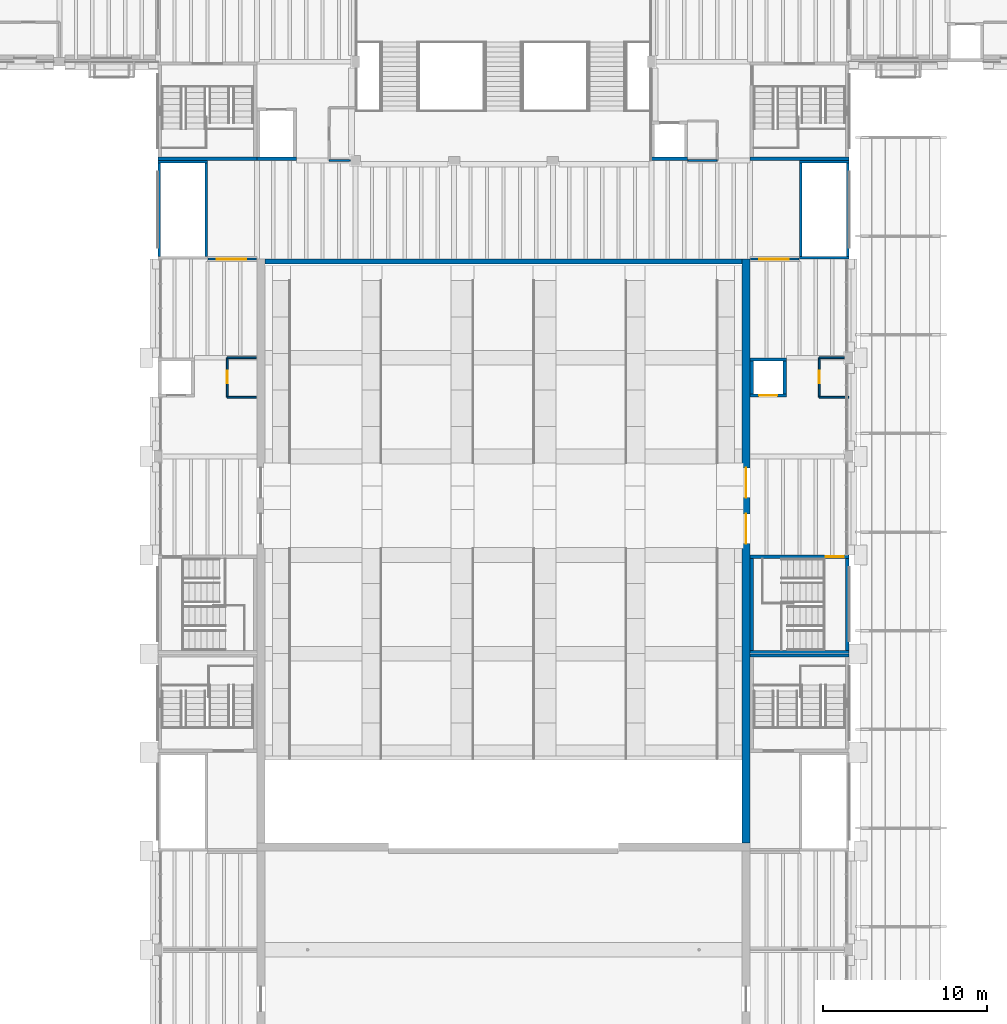
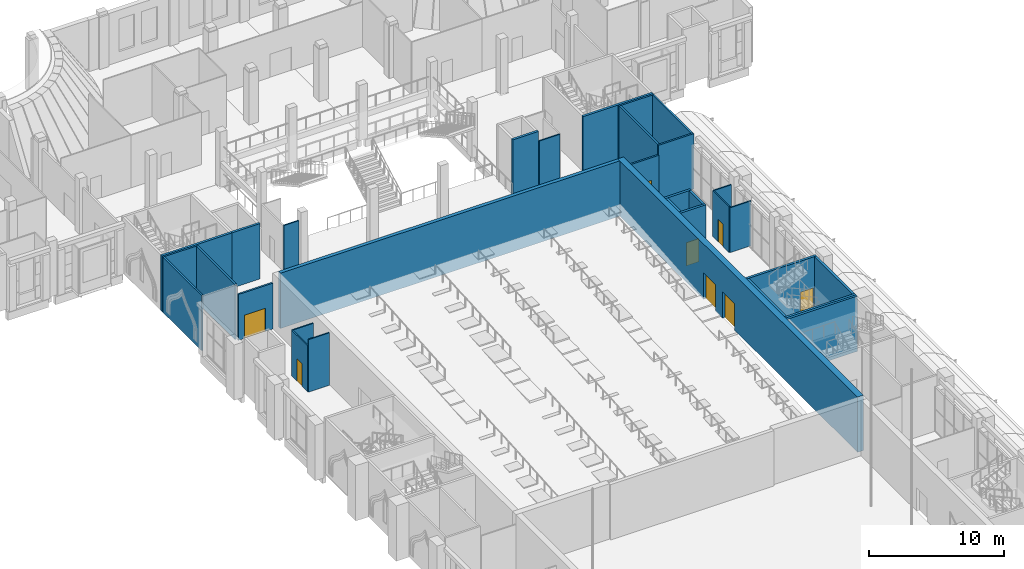
# One storey, part 42 of 80: 32 walls, 8 doors, 8 openings.
"""IFC4 building model written with IfcOpenShell, lengths in metres."""

import ifcopenshell
import ifcopenshell.guid

model = None  # the IFC model being written
_history = None  # IfcOwnerHistory: only IFC2X3 demands one
_inside = {}  # id of a spatial element -> (the spatial element, [elements in it])
_under = {}  # id of a project, library or spatial element -> (it, [spatial elements below it])
_declared = {}  # id of a project -> (the project, [libraries it declares])
_typed = {}  # id of a type object -> (the type object, [elements of that type])
_made_of = {}  # id of a material, layer set ... -> (it, [elements and type objects made of it])


def new_model(schema):
    """Start an empty IFC model of exactly this schema.

    Asked for "IFC4X3", IfcOpenShell would pick the latest addendum, in which some entities
    have other attributes; the version numbers below select the first issue.
    IFC2X3 requires an IfcOwnerHistory on every rooted entity: one is made here for all.
    """
    global model, _history
    if schema == "IFC4X3":
        model = ifcopenshell.file(schema_version=(4, 3, 0, 0))
    else:
        model = ifcopenshell.file(schema=schema)
    _inside.clear()
    _under.clear()
    _declared.clear()
    _typed.clear()
    _made_of.clear()
    _history = None
    if model.schema == "IFC2X3":
        org = make("IfcOrganization", Name="unknown")
        user = make(
            "IfcPersonAndOrganization",
            ThePerson=make("IfcPerson", FamilyName="unknown"),
            TheOrganization=org,
        )
        app = make(
            "IfcApplication",
            ApplicationDeveloper=org,
            Version="unknown",
            ApplicationFullName="unknown",
            ApplicationIdentifier="unknown",
        )
        _history = make(
            "IfcOwnerHistory",
            OwningUser=user,
            OwningApplication=app,
            ChangeAction="ADDED",
            CreationDate=0,
        )
    return model


def make(cls, **values):
    """One entity of the class cls with the attributes given. An attribute that is None is left unset."""
    return model.create_entity(
        cls, **{name: value for name, value in values.items() if value is not None}
    )


def rooted(cls, **values):
    """An entity with a GlobalId (a new one), such as an element, a storey or a relation."""
    return make(cls, GlobalId=ifcopenshell.guid.new(), OwnerHistory=_history, **values)


def si_unit(unit_type, name, prefix=None):
    """IfcSIUnit, for example si_unit("LENGTHUNIT", "METRE", prefix="MILLI")."""
    return make("IfcSIUnit", UnitType=unit_type, Prefix=prefix, Name=name)


def assignment(units):
    """IfcUnitAssignment: the units of a project."""
    return None if units is None else make("IfcUnitAssignment", Units=units)


def point(xyz):
    """IfcCartesianPoint."""
    return None if xyz is None else make("IfcCartesianPoint", Coordinates=xyz)


def direction(xyz):
    """IfcDirection."""
    return None if xyz is None else make("IfcDirection", DirectionRatios=xyz)


def frame(location, z_axis=None, x_axis=None):
    """IfcAxis2Placement3D, a coordinate frame: its origin and axes. An axis left out is left unset."""
    return make(
        "IfcAxis2Placement3D",
        Location=point(location),
        Axis=direction(z_axis),
        RefDirection=direction(x_axis),
    )


def frame_2d(location, x_axis=None):
    """IfcAxis2Placement2D, a coordinate frame in the plane: its origin and x axis."""
    return make(
        "IfcAxis2Placement2D", Location=point(location), RefDirection=direction(x_axis)
    )


def origin():
    """The frame at (0, 0, 0) with its axes left unset."""
    return frame((0.0, 0.0, 0.0))


def place(relative_to, where):
    """IfcLocalPlacement: puts the frame where relative to a parent placement (None: the world)."""
    return make(
        "IfcLocalPlacement", PlacementRelTo=relative_to, RelativePlacement=where
    )


def context(
    kind, dimensions, precision=None, world=None, true_north=None, identifier=None
):
    """IfcGeometricRepresentationContext, for example the 3D "Model" context."""
    return make(
        "IfcGeometricRepresentationContext",
        ContextIdentifier=identifier,
        ContextType=kind,
        CoordinateSpaceDimension=dimensions,
        Precision=precision,
        WorldCoordinateSystem=world,
        TrueNorth=true_north,
    )


def subcontext(parent, identifier, kind, view, scale=None):
    """IfcGeometricRepresentationSubContext, for example "Body" below "Model"."""
    return make(
        "IfcGeometricRepresentationSubContext",
        ContextIdentifier=identifier,
        ContextType=kind,
        ParentContext=parent,
        TargetScale=scale,
        TargetView=view,
    )


def project(units=None, contexts=None):
    """IfcProject with its units and contexts."""
    return rooted(
        "IfcProject",
        Name="project",
        RepresentationContexts=contexts,
        UnitsInContext=assignment(units),
    )


def spatial(cls, under=None, at=None, **own):
    """A site, building, storey or space (cls), placed at a placement, below another one or the project."""
    s = rooted(cls, ObjectPlacement=at, **own)
    if under is not None:
        _under.setdefault(under.id(), (under, []))[1].append(s)
    return s


def profile(cls, at=None, kind="AREA", **sizes):
    """A parametric profile (cls). Its sizes go by their IFC names, for example OverallWidth=200.0."""
    return make(cls, ProfileType=kind, Position=at, **sizes)


def rectangle(**sizes):
    """IfcRectangleProfileDef."""
    return profile("IfcRectangleProfileDef", **sizes)


def extrude(swept, where, along, depth):
    """IfcExtrudedAreaSolid: the profile swept, set in the frame where, extruded along a direction by depth."""
    return make(
        "IfcExtrudedAreaSolid",
        SweptArea=swept,
        Position=where,
        ExtrudedDirection=direction(along),
        Depth=depth,
    )


def shape(context_of_items, identifier, shape_type, items):
    """IfcShapeRepresentation: the items that make up one representation, for example the "Body"."""
    return make(
        "IfcShapeRepresentation",
        ContextOfItems=context_of_items,
        RepresentationIdentifier=identifier,
        RepresentationType=shape_type,
        Items=items,
    )


def material(Name=None, Category=None):
    """IfcMaterial."""
    return make("IfcMaterial", Name=Name, Category=Category)


def layer(
    of_material, thickness, ventilated=None, Name=None, Category=None, Priority=None
):
    """IfcMaterialLayer: one layer of a wall or slab, of a material (None: an air gap)."""
    return make(
        "IfcMaterialLayer",
        Material=of_material,
        LayerThickness=thickness,
        IsVentilated=ventilated,
        Name=Name,
        Category=Category,
        Priority=Priority,
    )


def layer_set(layers, Name=None):
    """IfcMaterialLayerSet."""
    return make("IfcMaterialLayerSet", MaterialLayers=layers, LayerSetName=Name)


def made_of(thing, what):
    """Note that an element or type object is made of a material, layer set ...; save() writes the relation."""
    if what is not None:
        _made_of.setdefault(what.id(), (what, []))[1].append(thing)
    return thing


def type_object(cls, material=None, **own):
    """A type object (cls), such as IfcWallType, which elements share."""
    return made_of(rooted(cls, **own), material)


def element(
    cls,
    number,
    at=None,
    inside=None,
    cuts=None,
    type_object=None,
    material=None,
    context=None,
    identifier="Body",
    shape_type=None,
    held_by="IfcProductDefinitionShape",
    body=None,
    shapes=None,
    **own,
):
    """One element of the class cls, such as IfcWall. Its Tag is "e" and its number.

    at: its placement. inside: the storey or other place that contains it. cuts: it is an
    opening in that element (IfcRelVoidsElement). A single representation is given by context,
    identifier, shape_type and body (its items); several are given by shapes. held_by: the class
    of the entity that holds the representations. save() writes the other relations.
    """
    e = rooted(cls, Tag="e%d" % number, ObjectPlacement=at, **own)
    if body is not None:
        shapes = [shape(context, identifier, shape_type, body)]
    if shapes is not None:
        e.Representation = make(held_by, Representations=shapes)
    if inside is not None:
        _inside.setdefault(inside.id(), (inside, []))[1].append(e)
    if cuts is not None:
        rooted(
            "IfcRelVoidsElement", RelatingBuildingElement=cuts, RelatedOpeningElement=e
        )
    if type_object is not None:
        _typed.setdefault(type_object.id(), (type_object, []))[1].append(e)
    return made_of(e, material)


def fill(opening, filler):
    """IfcRelFillsElement: the door or window that sits in an opening."""
    return rooted(
        "IfcRelFillsElement",
        RelatingOpeningElement=opening,
        RelatedBuildingElement=filler,
    )


def aggregate(whole, parts):
    """IfcRelAggregates: a whole, such as a stair, and the parts it consists of."""
    return rooted("IfcRelAggregates", RelatingObject=whole, RelatedObjects=parts)


def save(model, path):
    """Write the relations noted so far, then the file.

    IfcRelAggregates (storeys below a building ...), IfcRelContainedInSpatialStructure (elements
    in a storey), IfcRelDefinesByType, IfcRelAssociatesMaterial and IfcRelDeclares: one each for
    every whole, place, type object, material and project.
    """
    for whole, parts in _under.values():
        aggregate(whole, parts)
    for where, things in _inside.values():
        rooted(
            "IfcRelContainedInSpatialStructure",
            RelatedElements=things,
            RelatingStructure=where,
        )
    for kind, things in _typed.values():
        rooted("IfcRelDefinesByType", RelatedObjects=things, RelatingType=kind)
    for what, things in _made_of.values():
        rooted("IfcRelAssociatesMaterial", RelatedObjects=things, RelatingMaterial=what)
    for by, libraries in _declared.values():
        rooted("IfcRelDeclares", RelatingContext=by, RelatedDefinitions=libraries)
    model.write(path)


model = new_model("IFC4")

# Units and contexts
model_context = context("Model", 3, precision=1e-05, world=origin(), true_north=direction((0.0, 1.0)))
body_context = subcontext(model_context, "Body", "Model", "MODEL_VIEW")
ifc_project = project(units=[si_unit("LENGTHUNIT", "METRE"), si_unit("AREAUNIT", "SQUARE_METRE"), si_unit("VOLUMEUNIT", "CUBIC_METRE"), si_unit("PLANEANGLEUNIT", "RADIAN"), si_unit("MASSUNIT", "GRAM", prefix="KILO")], contexts=[model_context])

# Site, building, storey
site_placement = place(None, origin())
site = spatial("IfcSite", under=ifc_project, at=site_placement, CompositionType="ELEMENT")
building_placement = place(site_placement, origin())
building = spatial("IfcBuilding", under=site, at=building_placement, Name="Saffron Lane Theatres", CompositionType="ELEMENT")
storey_placement = place(building_placement, frame((0.0, 0.0, 7.0)))
storey = spatial("IfcBuildingStorey", under=building, at=storey_placement, Name="L01", CompositionType="ELEMENT", Elevation=7.0)

# Wall
ifc_material_1 = material(Name="Masonry block partition", Category="masonry")
ifc_layer_1 = layer(ifc_material_1, 0.110107421875)
ifc_layer_set_1 = layer_set([ifc_layer_1], Name="Masonry block partition")
wall_type_1 = type_object("IfcWallType", Name="IN-BLOCK PARTITION 110", PredefinedType="PARTITIONING", material=ifc_layer_set_1)
wall_1_placement = place(storey_placement, frame((16.199951171875, 84.0, 0.0), z_axis=(0.0, 0.0, 1.0), x_axis=(1.0, 0.0, 0.0)))
element("IfcWall", 1, at=wall_1_placement, inside=storey, type_object=wall_type_1, Name="PW-L01-030", PredefinedType="PARTITIONING", context=body_context, shape_type="SweptSolid", body=[
    extrude(rectangle(XDim=1.780029296875, YDim=0.110107421875, at=frame_2d((0.89013671875, 0.0))), origin(), (0.0, 0.0, 1.0), 4.14990234375),
])

# Wall, opening, door
wall_2_placement = place(storey_placement, frame((16.199951171875, 81.60009765625, 0.0), z_axis=(0.0, 0.0, 1.0), x_axis=(0.0, 1.0, 0.0)))
wall_2 = element("IfcWall", 2, at=wall_2_placement, inside=storey, type_object=wall_type_1, Name="PW-L01-031", PredefinedType="PARTITIONING", context=body_context, shape_type="SweptSolid", body=[
    extrude(rectangle(XDim=2.39990234375, YDim=0.110107421875, at=frame_2d((1.199951171875, 0.0))), origin(), (0.0, 0.0, 1.0), 4.14990234375),
])
opening_1_placement = place(wall_2_placement, frame((0.85009765625, 0.0, 0.0)))
opening_1 = element("IfcOpeningElement", 3, at=opening_1_placement, cuts=wall_2, Name="Opening D01-52", PredefinedType="OPENING", context=body_context, shape_type="SweptSolid", body=[
    extrude(rectangle(XDim=0.75, YDim=2.0400390625, at=frame_2d((0.375, 1.02001953125))), frame((0.0, 0.06494140625, 0.0), z_axis=(0.0, -1.0, 0.0), x_axis=(1.0, 0.0, 0.0)), (0.0, 0.0, 1.0), 0.130126953125),
])
ifc_material_2 = material(Name="Steel faced fire door leaf", Category="steel")
door_type_1 = type_object("IfcDoorType", Name="IN-DOOR 750x2040 FD60", OperationType="NOTDEFINED", PredefinedType="DOOR", material=ifc_material_2)
door_1_placement = place(opening_1_placement, frame((0.75, 0.0, 0.0), z_axis=(0.0, 0.0, 1.0), x_axis=(-1.0, 0.0, 0.0)))
door_1 = element("IfcDoor", 4, at=door_1_placement, inside=storey, type_object=door_type_1, Name="D01-52", OperationType="SINGLE_SWING_RIGHT", OverallHeight=2.0400390625, OverallWidth=0.75, PredefinedType="DOOR", context=body_context, shape_type="SweptSolid", body=[
    extrude(rectangle(XDim=0.75, YDim=2.0400390625, at=frame_2d((0.375, 1.02001953125))), frame((0.0, 0.02490234375, 0.0), z_axis=(0.0, -1.0, 0.0), x_axis=(1.0, 0.0, 0.0)), (0.0, 0.0, 1.0), 0.050048828125),
])
fill(opening_1, door_1)

# Walls
wall_3_placement = place(storey_placement, frame((16.199951171875, 81.60009765625, 0.0), z_axis=(0.0, 0.0, 1.0), x_axis=(1.0, 0.0, 0.0)))
element("IfcWall", 5, at=wall_3_placement, inside=storey, type_object=wall_type_1, Name="PW-L01-032", PredefinedType="PARTITIONING", context=body_context, shape_type="SweptSolid", body=[
    extrude(rectangle(XDim=1.780029296875, YDim=0.110107421875, at=frame_2d((0.89013671875, 0.0))), origin(), (0.0, 0.0, 1.0), 4.75),
])
wall_4_placement = place(storey_placement, frame((22.39990234375, 96.0, 0.0), z_axis=(0.0, 0.0, 1.0), x_axis=(1.0, 0.0, 0.0)))
element("IfcWall", 6, at=wall_4_placement, inside=storey, type_object=wall_type_1, Name="PW-L01-035", PredefinedType="PARTITIONING", context=body_context, shape_type="SweptSolid", body=[
    extrude(rectangle(XDim=1.280029296875, YDim=0.110107421875, at=frame_2d((0.64013671875, 0.0))), origin(), (0.0, 0.0, 1.0), 4.14990234375),
])
wall_5_placement = place(storey_placement, frame((44.219970703125, 96.0, 0.0), z_axis=(0.0, 0.0, 1.0), x_axis=(1.0, 0.0, 0.0)))
element("IfcWall", 7, at=wall_5_placement, inside=storey, type_object=wall_type_1, Name="PW-L01-041", PredefinedType="PARTITIONING", context=body_context, shape_type="SweptSolid", body=[
    extrude(rectangle(XDim=1.780029296875, YDim=0.110107421875, at=frame_2d((0.89013671875, 0.0))), origin(), (0.0, 0.0, 1.0), 4.14990234375),
])
wall_6_placement = place(storey_placement, frame((52.199951171875, 84.0, 0.0), z_axis=(0.0, 0.0, 1.0), x_axis=(1.0, 0.0, 0.0)))
element("IfcWall", 8, at=wall_6_placement, inside=storey, type_object=wall_type_1, Name="PW-L01-044", PredefinedType="PARTITIONING", context=body_context, shape_type="SweptSolid", body=[
    extrude(rectangle(XDim=1.530029296875, YDim=0.110107421875, at=frame_2d((0.76513671875, 0.0))), origin(), (0.0, 0.0, 1.0), 4.14990234375),
])

# Wall, opening, door
wall_7_placement = place(storey_placement, frame((52.199951171875, 81.60009765625, 0.0), z_axis=(0.0, 0.0, 1.0), x_axis=(0.0, 1.0, 0.0)))
wall_7 = element("IfcWall", 9, at=wall_7_placement, inside=storey, type_object=wall_type_1, Name="PW-L01-045", PredefinedType="PARTITIONING", context=body_context, shape_type="SweptSolid", body=[
    extrude(rectangle(XDim=2.39990234375, YDim=0.110107421875, at=frame_2d((1.199951171875, 0.0))), origin(), (0.0, 0.0, 1.0), 4.14990234375),
])
opening_2_placement = place(wall_7_placement, frame((0.85009765625, 0.0, 0.0)))
opening_2 = element("IfcOpeningElement", 10, at=opening_2_placement, cuts=wall_7, Name="Opening D01-53", PredefinedType="OPENING", context=body_context, shape_type="SweptSolid", body=[
    extrude(rectangle(XDim=0.75, YDim=2.0400390625, at=frame_2d((0.375, 1.02001953125))), frame((0.0, 0.06494140625, 0.0), z_axis=(0.0, -1.0, 0.0), x_axis=(1.0, 0.0, 0.0)), (0.0, 0.0, 1.0), 0.130126953125),
])
door_2_placement = place(opening_2_placement, frame((0.75, 0.0, 0.0), z_axis=(0.0, 0.0, 1.0), x_axis=(-1.0, 0.0, 0.0)))
door_2 = element("IfcDoor", 11, at=door_2_placement, inside=storey, type_object=door_type_1, Name="D01-53", OperationType="SINGLE_SWING_RIGHT", OverallHeight=2.0400390625, OverallWidth=0.75, PredefinedType="DOOR", context=body_context, shape_type="SweptSolid", body=[
    extrude(rectangle(XDim=0.75, YDim=2.0400390625, at=frame_2d((0.375, 1.02001953125))), frame((0.0, 0.02490234375, 0.0), z_axis=(0.0, -1.0, 0.0), x_axis=(1.0, 0.0, 0.0)), (0.0, 0.0, 1.0), 0.050048828125),
])
fill(opening_2, door_2)

# Wall
wall_8_placement = place(storey_placement, frame((52.199951171875, 81.60009765625, 0.0), z_axis=(0.0, 0.0, 1.0), x_axis=(1.0, 0.0, 0.0)))
element("IfcWall", 12, at=wall_8_placement, inside=storey, type_object=wall_type_1, Name="PW-L01-046", PredefinedType="PARTITIONING", context=body_context, shape_type="SweptSolid", body=[
    extrude(rectangle(XDim=1.800048828125, YDim=0.110107421875, at=frame_2d((0.89990234375, 0.0))), origin(), (0.0, 0.0, 1.0), 4.050048828125),
])

# Wall, opening, door
ifc_material_3 = material(Name="Masonry block partition", Category="masonry")
ifc_layer_2 = layer(ifc_material_3, 0.139892578125)
ifc_layer_set_2 = layer_set([ifc_layer_2], Name="Masonry block partition")
wall_type_2 = type_object("IfcWallType", Name="IN-BLOCK PARTITION 140", PredefinedType="PARTITIONING", material=ifc_layer_set_2)
wall_9_placement = place(storey_placement, frame((15.02001953125, 90.0, 0.0), z_axis=(0.0, 0.0, 1.0), x_axis=(1.0, 0.0, 0.0)))
wall_9 = element("IfcWall", 13, at=wall_9_placement, inside=storey, type_object=wall_type_2, Name="PW-L01-054", PredefinedType="PARTITIONING", context=body_context, shape_type="SweptSolid", body=[
    extrude(rectangle(XDim=2.9599609375, YDim=0.139892578125, at=frame_2d((1.47998046875, 0.0))), origin(), (0.0, 0.0, 1.0), 4.14990234375),
])
opening_3_placement = place(wall_9_placement, frame((0.530029296875, 0.0, 0.0)))
opening_3 = element("IfcOpeningElement", 14, at=opening_3_placement, cuts=wall_9, Name="Opening D01-67", PredefinedType="OPENING", context=body_context, shape_type="SweptSolid", body=[
    extrude(rectangle(XDim=1.800048828125, YDim=2.10009765625, at=frame_2d((0.89990234375, 1.050048828125))), frame((0.0, 0.080078125, 0.0), z_axis=(0.0, -1.0, 0.0), x_axis=(1.0, 0.0, 0.0)), (0.0, 0.0, 1.0), 0.159912109375),
])
ifc_material_4 = material(Name="Steel faced fire door leaf", Category="steel")
door_type_2 = type_object("IfcDoorType", Name="IN-DOOR 1800x2100 FD120", OperationType="DOUBLE_DOOR_SINGLE_SWING", PredefinedType="DOOR", material=ifc_material_4)
door_3_placement = place(opening_3_placement, frame((1.800048828125, 0.0, 0.0), z_axis=(0.0, 0.0, 1.0), x_axis=(-1.0, 0.0, 0.0)))
door_3 = element("IfcDoor", 15, at=door_3_placement, inside=storey, type_object=door_type_2, Name="D01-67", OperationType="DOUBLE_DOOR_SINGLE_SWING", OverallHeight=2.10009765625, OverallWidth=1.800048828125, PredefinedType="DOOR", context=body_context, shape_type="SweptSolid", body=[
    extrude(rectangle(XDim=1.800048828125, YDim=2.10009765625, at=frame_2d((0.89990234375, 1.050048828125))), frame((0.0, 0.02490234375, 0.0), z_axis=(0.0, -1.0, 0.0), x_axis=(1.0, 0.0, 0.0)), (0.0, 0.0, 1.0), 0.050048828125),
])
fill(opening_3, door_3)

wall_10_placement = place(storey_placement, frame((48.02001953125, 90.0, 0.0), z_axis=(0.0, 0.0, 1.0), x_axis=(1.0, 0.0, 0.0)))
wall_10 = element("IfcWall", 16, at=wall_10_placement, inside=storey, type_object=wall_type_2, Name="PW-L01-057", PredefinedType="PARTITIONING", context=body_context, shape_type="SweptSolid", body=[
    extrude(rectangle(XDim=2.9599609375, YDim=0.139892578125, at=frame_2d((1.47998046875, 0.0))), origin(), (0.0, 0.0, 1.0), 4.14990234375),
])
opening_4_placement = place(wall_10_placement, frame((0.530029296875, 0.0, 0.0)))
opening_4 = element("IfcOpeningElement", 17, at=opening_4_placement, cuts=wall_10, Name="Opening D01-68", PredefinedType="OPENING", context=body_context, shape_type="SweptSolid", body=[
    extrude(rectangle(XDim=1.800048828125, YDim=2.10009765625, at=frame_2d((0.89990234375, 1.050048828125))), frame((0.0, 0.080078125, 0.0), z_axis=(0.0, -1.0, 0.0), x_axis=(1.0, 0.0, 0.0)), (0.0, 0.0, 1.0), 0.159912109375),
])
door_4_placement = place(opening_4_placement, frame((1.800048828125, 0.0, 0.0), z_axis=(0.0, 0.0, 1.0), x_axis=(-1.0, 0.0, 0.0)))
door_4 = element("IfcDoor", 18, at=door_4_placement, inside=storey, type_object=door_type_2, Name="D01-68", OperationType="DOUBLE_DOOR_SINGLE_SWING", OverallHeight=2.10009765625, OverallWidth=1.800048828125, PredefinedType="DOOR", context=body_context, shape_type="SweptSolid", body=[
    extrude(rectangle(XDim=1.800048828125, YDim=2.10009765625, at=frame_2d((0.89990234375, 1.050048828125))), frame((0.0, 0.02490234375, 0.0), z_axis=(0.0, -1.0, 0.0), x_axis=(1.0, 0.0, 0.0)), (0.0, 0.0, 1.0), 0.050048828125),
])
fill(opening_4, door_4)

# Walls
ifc_material_5 = material(Name="Concrete N50 (50 MPa)", Category="concrete")
ifc_layer_3 = layer(ifc_material_5, 0.14990234375)
ifc_layer_set_3 = layer_set([ifc_layer_3], Name="Concrete N50 (50 MPa)")
wall_type_3 = type_object("IfcWallType", Name="RC-CORE 150", PredefinedType="SHEAR", material=ifc_layer_set_3)
wall_11_placement = place(storey_placement, frame((12.0, 95.925048828125, 0.0), z_axis=(0.0, 0.0, 1.0), x_axis=(1.0, 0.0, 0.0)))
element("IfcWall", 19, at=wall_11_placement, inside=storey, type_object=wall_type_3, Name="W-R1-N-L01", PredefinedType="SHEAR", context=body_context, shape_type="SweptSolid", body=[
    extrude(rectangle(XDim=3.0, YDim=0.14990234375, at=frame_2d((1.5, 0.0))), origin(), (0.0, 0.0, 1.0), 5.0),
])
wall_12_placement = place(storey_placement, frame((14.925048828125, 90.14990234375, 0.0), z_axis=(0.0, 0.0, 1.0), x_axis=(0.0, 1.0, 0.0)))
element("IfcWall", 20, at=wall_12_placement, inside=storey, type_object=wall_type_3, Name="W-R1-E-L01", PredefinedType="SHEAR", context=body_context, shape_type="SweptSolid", body=[
    extrude(rectangle(XDim=5.7001953125, YDim=0.14990234375, at=frame_2d((2.85009765625, 0.0))), origin(), (0.0, 0.0, 1.0), 5.0),
])
for number, where, z_axis, x_axis, name in (
    (21, (51.0, 95.925048828125, 0.0), (0.0, 0.0, 1.0), (1.0, 0.0, 0.0), "W-R2-N-L01"),
    (22, (51.0, 90.074951171875, 0.0), (0.0, 0.0, 1.0), (1.0, 0.0, 0.0), "W-R2-S-L01"),
):
    element("IfcWall", number, at=place(storey_placement, frame(where, z_axis=z_axis, x_axis=x_axis)), inside=storey, type_object=wall_type_3, Name=name, PredefinedType="SHEAR", context=body_context, shape_type="SweptSolid", body=[
        extrude(rectangle(XDim=3.0, YDim=0.14990234375, at=frame_2d((1.5, 0.0))), origin(), (0.0, 0.0, 1.0), 5.0),
    ])
wall_13_placement = place(storey_placement, frame((51.074951171875, 90.14990234375, 0.0), z_axis=(0.0, 0.0, 1.0), x_axis=(0.0, 1.0, 0.0)))
element("IfcWall", 23, at=wall_13_placement, inside=storey, type_object=wall_type_3, Name="W-R2-W-L01", PredefinedType="SHEAR", context=body_context, shape_type="SweptSolid", body=[
    extrude(rectangle(XDim=5.7001953125, YDim=0.14990234375, at=frame_2d((2.85009765625, 0.0))), origin(), (0.0, 0.0, 1.0), 5.0),
])
ifc_material_6 = material(Name="Concrete N50 (50 MPa)", Category="concrete")
ifc_layer_4 = layer(ifc_material_6, 0.199951171875)
ifc_layer_set_4 = layer_set([ifc_layer_4], Name="Concrete N50 (50 MPa)")
wall_type_4 = type_object("IfcWallType", Name="RC-CORE 200", PredefinedType="SHEAR", material=ifc_layer_set_4)
for number, where, z_axis, x_axis, name in (
    (24, (12.0, 96.10009765625, 0.0), (0.0, 0.0, 1.0), (1.0, 0.0, 0.0), "W-ST1-S-L01"),
    (25, (48.0, 96.10009765625, 0.0), (0.0, 0.0, 1.0), (1.0, 0.0, 0.0), "W-ST2-S-L01"),
):
    element("IfcWall", number, at=place(storey_placement, frame(where, z_axis=z_axis, x_axis=x_axis)), inside=storey, type_object=wall_type_4, Name=name, PredefinedType="SHEAR", context=body_context, shape_type="SweptSolid", body=[
        extrude(rectangle(XDim=6.0, YDim=0.199951171875, at=frame_2d((3.0, 0.0))), origin(), (0.0, 0.0, 1.0), 5.0),
    ])

# Wall, opening, door
wall_14_placement = place(storey_placement, frame((48.0, 71.89990234375, 0.0), z_axis=(0.0, 0.0, 1.0), x_axis=(1.0, 0.0, 0.0)))
wall_14 = element("IfcWall", 26, at=wall_14_placement, inside=storey, type_object=wall_type_4, Name="W-ST4-N-L01", PredefinedType="SHEAR", context=body_context, shape_type="SweptSolid", body=[
    extrude(rectangle(XDim=6.0, YDim=0.199951171875, at=frame_2d((3.0, 0.0))), origin(), (0.0, 0.0, 1.0), 5.0),
])
opening_5_placement = place(wall_14_placement, frame((4.60009765625, 0.0, 0.0)))
opening_5 = element("IfcOpeningElement", 27, at=opening_5_placement, cuts=wall_14, Name="Opening D01-36", PredefinedType="OPENING", context=body_context, shape_type="SweptSolid", body=[
    extrude(rectangle(XDim=1.10009765625, YDim=2.199951171875, at=frame_2d((0.550048828125, 1.10009765625))), frame((0.0, 0.10986328125, 0.0), z_axis=(0.0, -1.0, 0.0), x_axis=(1.0, 0.0, 0.0)), (0.0, 0.0, 1.0), 0.219970703125),
])
ifc_material_7 = material(Name="Steel faced fire door leaf", Category="steel")
door_type_3 = type_object("IfcDoorType", Name="IN-DOOR 1100x2200 FD120", OperationType="NOTDEFINED", PredefinedType="DOOR", material=ifc_material_7)
door_5_placement = place(opening_5_placement, frame((1.10009765625, 0.0, 0.0), z_axis=(0.0, 0.0, 1.0), x_axis=(-1.0, 0.0, 0.0)))
door_5 = element("IfcDoor", 28, at=door_5_placement, inside=storey, type_object=door_type_3, Name="D01-36", OperationType="SINGLE_SWING_RIGHT", OverallHeight=2.199951171875, OverallWidth=1.10009765625, PredefinedType="DOOR", context=body_context, shape_type="SweptSolid", body=[
    extrude(rectangle(XDim=1.10009765625, YDim=2.199951171875, at=frame_2d((0.550048828125, 1.10009765625))), frame((0.0, 0.02490234375, 0.0), z_axis=(0.0, -1.0, 0.0), x_axis=(1.0, 0.0, 0.0)), (0.0, 0.0, 1.0), 0.050048828125),
])
fill(opening_5, door_5)

# Walls
wall_15_placement = place(storey_placement, frame((48.0, 66.10009765625, 0.0), z_axis=(0.0, 0.0, 1.0), x_axis=(1.0, 0.0, 0.0)))
element("IfcWall", 29, at=wall_15_placement, inside=storey, type_object=wall_type_4, Name="W-ST4-S-L01", PredefinedType="SHEAR", context=body_context, shape_type="SweptSolid", body=[
    extrude(rectangle(XDim=6.0, YDim=0.199951171875, at=frame_2d((3.0, 0.0))), origin(), (0.0, 0.0, 1.0), 5.0),
])
wall_16_placement = place(storey_placement, frame((48.10009765625, 66.199951171875, 0.0), z_axis=(0.0, 0.0, 1.0), x_axis=(0.0, 1.0, 0.0)))
element("IfcWall", 30, at=wall_16_placement, inside=storey, type_object=wall_type_4, Name="W-ST4-W-L01", PredefinedType="SHEAR", context=body_context, shape_type="SweptSolid", body=[
    extrude(rectangle(XDim=5.60009765625, YDim=0.199951171875, at=frame_2d((2.800048828125, 0.0))), origin(), (0.0, 0.0, 1.0), 5.0),
])
wall_17_placement = place(storey_placement, frame((48.0, 65.89990234375, 0.0), z_axis=(0.0, 0.0, 1.0), x_axis=(1.0, 0.0, 0.0)))
element("IfcWall", 31, at=wall_17_placement, inside=storey, type_object=wall_type_4, Name="W-ST11-N-L01", PredefinedType="SHEAR", context=body_context, shape_type="SweptSolid", body=[
    extrude(rectangle(XDim=6.0, YDim=0.199951171875, at=frame_2d((3.0, 0.0))), origin(), (0.0, 0.0, 1.0), 5.0),
])
wall_18_placement = place(storey_placement, frame((18.0, 96.10009765625, 0.0), z_axis=(0.0, 0.0, 1.0), x_axis=(1.0, 0.0, 0.0)))
element("IfcWall", 32, at=wall_18_placement, inside=storey, type_object=wall_type_4, Name="W-LC1-S-L01", PredefinedType="SHEAR", context=body_context, shape_type="SweptSolid", body=[
    extrude(rectangle(XDim=2.39990234375, YDim=0.199951171875, at=frame_2d((1.199951171875, 0.0))), origin(), (0.0, 0.0, 1.0), 5.0),
])
for number, where, z_axis, x_axis, name in (
    (33, (42.0, 96.10009765625, 0.0), (0.0, 0.0, 1.0), (1.0, 0.0, 0.0), "W-LC2-S-L01"),
    (34, (48.0, 83.89990234375, 0.0), (0.0, 0.0, 1.0), (1.0, 0.0, 0.0), "W-LC4-N-L01"),
):
    element("IfcWall", number, at=place(storey_placement, frame(where, z_axis=z_axis, x_axis=x_axis)), inside=storey, type_object=wall_type_4, Name=name, PredefinedType="SHEAR", context=body_context, shape_type="SweptSolid", body=[
        extrude(rectangle(XDim=2.199951171875, YDim=0.199951171875, at=frame_2d((1.10009765625, 0.0))), origin(), (0.0, 0.0, 1.0), 5.0),
    ])

# Wall, opening, door
wall_19_placement = place(storey_placement, frame((48.0, 81.699951171875, 0.0), z_axis=(0.0, 0.0, 1.0), x_axis=(1.0, 0.0, 0.0)))
wall_19 = element("IfcWall", 35, at=wall_19_placement, inside=storey, type_object=wall_type_4, Name="W-LC4-S-L01", PredefinedType="SHEAR", context=body_context, shape_type="SweptSolid", body=[
    extrude(rectangle(XDim=2.199951171875, YDim=0.199951171875, at=frame_2d((1.10009765625, 0.0))), origin(), (0.0, 0.0, 1.0), 5.0),
])
opening_6_placement = place(wall_19_placement, frame((0.550048828125, 0.0, 0.0)))
opening_6 = element("IfcOpeningElement", 36, at=opening_6_placement, cuts=wall_19, Name="Opening LD14", PredefinedType="OPENING", context=body_context, shape_type="SweptSolid", body=[
    extrude(rectangle(XDim=1.10009765625, YDim=2.10009765625, at=frame_2d((0.550048828125, 1.050048828125))), frame((0.0, 0.10986328125, 0.0), z_axis=(0.0, -1.0, 0.0), x_axis=(1.0, 0.0, 0.0)), (0.0, 0.0, 1.0), 0.219970703125),
])
ifc_material_8 = material(Name="Stainless steel 316", Category="steel")
door_type_4 = type_object("IfcDoorType", Name="VC-LANDING DOOR 1100x2100", OperationType="DOUBLE_DOOR_SLIDING", PredefinedType="DOOR", material=ifc_material_8)
door_6_placement = place(opening_6_placement, origin())
door_6 = element("IfcDoor", 37, at=door_6_placement, inside=storey, type_object=door_type_4, Name="Landing doors LC4 L01", OperationType="DOUBLE_DOOR_SLIDING", OverallHeight=2.10009765625, OverallWidth=1.10009765625, PredefinedType="DOOR", context=body_context, shape_type="SweptSolid", body=[
    extrude(rectangle(XDim=1.10009765625, YDim=2.10009765625, at=frame_2d((0.550048828125, 1.050048828125))), frame((0.0, 0.02490234375, 0.0), z_axis=(0.0, -1.0, 0.0), x_axis=(1.0, 0.0, 0.0)), (0.0, 0.0, 1.0), 0.050048828125),
])
fill(opening_6, door_6)

# Walls
for number, where, z_axis, x_axis, name in (
    (38, (48.10009765625, 81.800048828125, 0.0), (0.0, 0.0, 1.0), (0.0, 1.0, 0.0), "W-LC4-W-L01"),
    (39, (50.10009765625, 81.800048828125, 0.0), (0.0, 0.0, 1.0), (0.0, 1.0, 0.0), "W-LC4-E-L01"),
):
    element("IfcWall", number, at=place(storey_placement, frame(where, z_axis=z_axis, x_axis=x_axis)), inside=storey, type_object=wall_type_4, Name=name, PredefinedType="SHEAR", context=body_context, shape_type="SweptSolid", body=[
        extrude(rectangle(XDim=2.0, YDim=0.199951171875, at=frame_2d((1.0, 0.0))), origin(), (0.0, 0.0, 1.0), 5.0),
    ])
ifc_material_9 = material(Name="Concrete N50 (50 MPa)", Category="concrete")
ifc_layer_5 = layer(ifc_material_9, 0.14990234375)
ifc_layer_set_5 = layer_set([ifc_layer_5], Name="Concrete N50 (50 MPa)")
wall_type_5 = type_object("IfcWallType", Name="RC-CORE EXTERNAL 150", PredefinedType="SHEAR", material=ifc_layer_set_5)
for number, where, z_axis, x_axis, name in (
    (40, (12.074951171875, 90.14990234375, 0.0), (0.0, 0.0, 1.0), (0.0, 1.0, 0.0), "W-R1-W-L01"),
    (41, (53.925048828125, 90.14990234375, 0.0), (0.0, 0.0, 1.0), (0.0, 1.0, 0.0), "W-R2-E-L01"),
):
    element("IfcWall", number, at=place(storey_placement, frame(where, z_axis=z_axis, x_axis=x_axis)), inside=storey, type_object=wall_type_5, Name=name, PredefinedType="SHEAR", context=body_context, shape_type="SweptSolid", body=[
        extrude(rectangle(XDim=5.7001953125, YDim=0.14990234375, at=frame_2d((2.85009765625, 0.0))), origin(), (0.0, 0.0, 1.0), 5.0),
    ])
ifc_material_10 = material(Name="Concrete N50 (50 MPa)", Category="concrete")
ifc_layer_6 = layer(ifc_material_10, 0.199951171875)
ifc_layer_set_6 = layer_set([ifc_layer_6], Name="Concrete N50 (50 MPa)")
wall_type_6 = type_object("IfcWallType", Name="RC-CORE EXTERNAL 200", PredefinedType="SHEAR", material=ifc_layer_set_6)
wall_20_placement = place(storey_placement, frame((53.89990234375, 66.199951171875, 0.0), z_axis=(0.0, 0.0, 1.0), x_axis=(0.0, 1.0, 0.0)))
element("IfcWall", 42, at=wall_20_placement, inside=storey, type_object=wall_type_6, Name="W-ST4-E-L01", PredefinedType="SHEAR", context=body_context, shape_type="SweptSolid", body=[
    extrude(rectangle(XDim=5.60009765625, YDim=0.199951171875, at=frame_2d((2.800048828125, 0.0))), origin(), (0.0, 0.0, 1.0), 5.0),
])
ifc_material_11 = material(Name="Concrete N50 (50 MPa)", Category="concrete")
ifc_layer_7 = layer(ifc_material_11, 0.39990234375)
ifc_layer_set_7 = layer_set([ifc_layer_7], Name="Concrete N50 (50 MPa)")
wall_type_7 = type_object("IfcWallType", Name="RC-WALL 400", PredefinedType="SHEAR", material=ifc_layer_set_7)
wall_21_placement = place(storey_placement, frame((18.5, 89.85009765625, 0.0), z_axis=(0.0, 0.0, 1.0), x_axis=(1.0, 0.0, 0.0)))
element("IfcWall", 43, at=wall_21_placement, inside=storey, type_object=wall_type_7, Name="W-REAR-L01", PredefinedType="SHEAR", context=body_context, shape_type="SweptSolid", body=[
    extrude(rectangle(XDim=29.0, YDim=0.300048828125, at=frame_2d((14.5, 0.0))), origin(), (0.0, 0.0, 1.0), 5.0),
])

# Wall, openings, doors
ifc_material_12 = material(Name="Concrete N50 (50 MPa)", Category="concrete")
ifc_layer_8 = layer(ifc_material_12, 0.5)
ifc_layer_set_8 = layer_set([ifc_layer_8], Name="Concrete N50 (50 MPa)")
wall_type_8 = type_object("IfcWallType", Name="RC-WALL 500", PredefinedType="SHEAR", material=ifc_layer_set_8)
wall_22_placement = place(storey_placement, frame((47.75, 54.5, 0.0), z_axis=(0.0, 0.0, 1.0), x_axis=(0.0, 1.0, 0.0)))
wall_22 = element("IfcWall", 44, at=wall_22_placement, inside=storey, type_object=wall_type_8, Name="W-AUDS-E-L01", PredefinedType="SHEAR", context=body_context, shape_type="SweptSolid", body=[
    extrude(rectangle(XDim=35.5, YDim=0.5, at=frame_2d((17.75, 0.0))), origin(), (0.0, 0.0, 1.0), 5.0),
])
opening_7_placement = place(wall_22_placement, frame((18.199951171875, 0.0, 0.0)))
opening_7 = element("IfcOpeningElement", 45, at=opening_7_placement, cuts=wall_22, Name="Opening D01-60", PredefinedType="OPENING", context=body_context, shape_type="SweptSolid", body=[
    extrude(rectangle(XDim=1.800048828125, YDim=2.39990234375, at=frame_2d((0.89990234375, 1.199951171875))), frame((0.0, 0.260009765625, 0.0), z_axis=(0.0, -1.0, 0.0), x_axis=(1.0, 0.0, 0.0)), (0.0, 0.0, 1.0), 0.52001953125),
])
opening_8_placement = place(wall_22_placement, frame((21.0, 0.0, 0.0)))
opening_8 = element("IfcOpeningElement", 46, at=opening_8_placement, cuts=wall_22, Name="Opening D01-62", PredefinedType="OPENING", context=body_context, shape_type="SweptSolid", body=[
    extrude(rectangle(XDim=1.800048828125, YDim=2.39990234375, at=frame_2d((0.89990234375, 1.199951171875))), frame((0.0, 0.260009765625, 0.0), z_axis=(0.0, -1.0, 0.0), x_axis=(1.0, 0.0, 0.0)), (0.0, 0.0, 1.0), 0.52001953125),
])
ifc_material_13 = material(Name="Steel faced fire door leaf", Category="steel")
door_type_5 = type_object("IfcDoorType", Name="IN-DOOR 1800x2400 FD120", OperationType="DOUBLE_DOOR_SINGLE_SWING", PredefinedType="DOOR", material=ifc_material_13)
door_7_placement = place(opening_7_placement, frame((1.800048828125, 0.0, 0.0), z_axis=(0.0, 0.0, 1.0), x_axis=(-1.0, 0.0, 0.0)))
door_7 = element("IfcDoor", 47, at=door_7_placement, inside=storey, type_object=door_type_5, Name="D01-60", OperationType="DOUBLE_DOOR_SINGLE_SWING", OverallHeight=2.39990234375, OverallWidth=1.800048828125, PredefinedType="DOOR", context=body_context, shape_type="SweptSolid", body=[
    extrude(rectangle(XDim=1.800048828125, YDim=2.39990234375, at=frame_2d((0.89990234375, 1.199951171875))), frame((0.0, 0.02490234375, 0.0), z_axis=(0.0, -1.0, 0.0), x_axis=(1.0, 0.0, 0.0)), (0.0, 0.0, 1.0), 0.050048828125),
])
fill(opening_7, door_7)
door_8_placement = place(opening_8_placement, frame((1.800048828125, 0.0, 0.0), z_axis=(0.0, 0.0, 1.0), x_axis=(-1.0, 0.0, 0.0)))
door_8 = element("IfcDoor", 48, at=door_8_placement, inside=storey, type_object=door_type_5, Name="D01-62", OperationType="DOUBLE_DOOR_SINGLE_SWING", OverallHeight=2.39990234375, OverallWidth=1.800048828125, PredefinedType="DOOR", context=body_context, shape_type="SweptSolid", body=[
    extrude(rectangle(XDim=1.800048828125, YDim=2.39990234375, at=frame_2d((0.89990234375, 1.199951171875))), frame((0.0, 0.02490234375, 0.0), z_axis=(0.0, -1.0, 0.0), x_axis=(1.0, 0.0, 0.0)), (0.0, 0.0, 1.0), 0.050048828125),
])
fill(opening_8, door_8)

save(model, "model.ifc")
